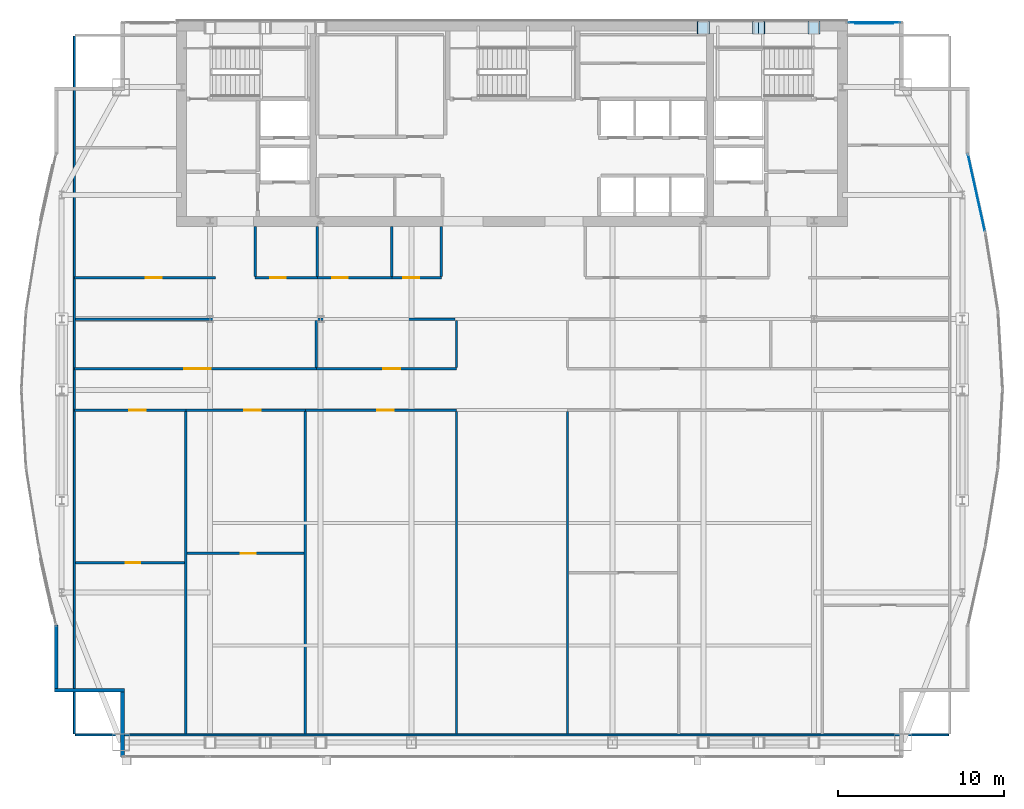
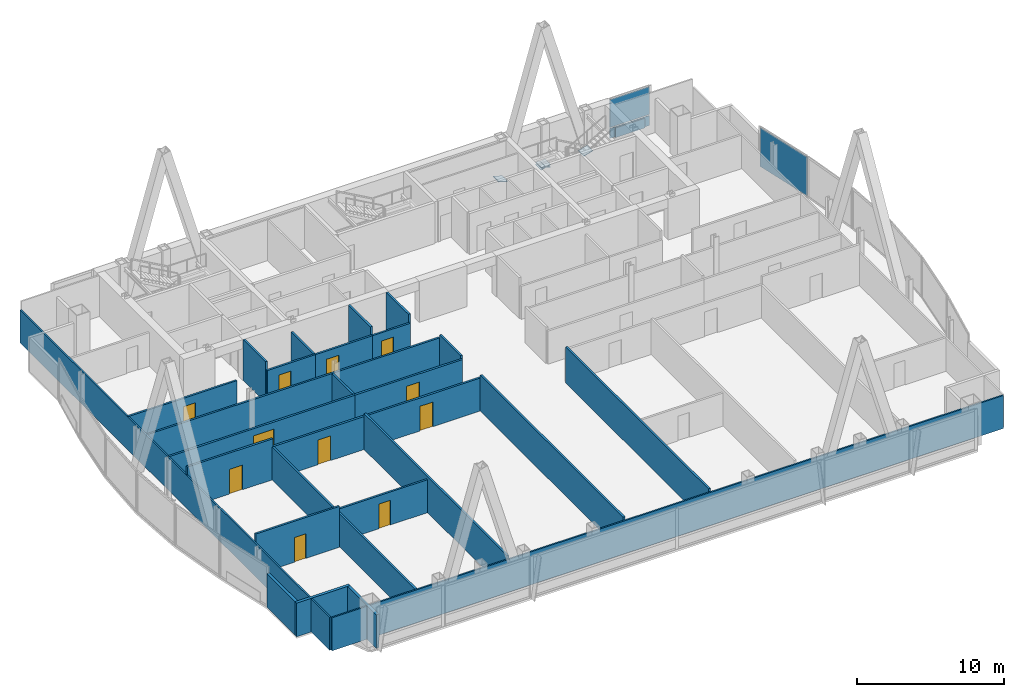
# One storey, part 26 of 31: 27 walls, 11 doors, 8 plates, 11 openings, 2 elements without a shape of their own.
"""IFC4 building model written with IfcOpenShell, lengths in metres."""

from ifc_helpers import new_model, si_unit, direction, frame, frame_2d, origin, origin_2d, place, context, subcontext, project, spatial, polyline, rectangle, outline, extrude, material, layer, layer_set, type_object, element, fill, aggregate, save


model = new_model("IFC4")

# Units and contexts
model_context = context("Model", 3, precision=1e-05, world=origin(), true_north=direction((0.0, 1.0)))
body_context = subcontext(model_context, "Body", "Model", "MODEL_VIEW")
ifc_project = project(units=[si_unit("LENGTHUNIT", "METRE"), si_unit("AREAUNIT", "SQUARE_METRE"), si_unit("VOLUMEUNIT", "CUBIC_METRE"), si_unit("PLANEANGLEUNIT", "RADIAN"), si_unit("MASSUNIT", "GRAM", prefix="KILO")], contexts=[model_context])

# Site, building, storey
site_placement = place(None, origin())
site = spatial("IfcSite", under=ifc_project, at=site_placement, CompositionType="ELEMENT")
building_placement = place(site_placement, origin())
building = spatial("IfcBuilding", under=site, at=building_placement, Name="Khoronbel Lancet Exchange", CompositionType="ELEMENT")
storey_placement = place(building_placement, frame((0.0, 0.0, 261.800048828125)))
storey = spatial("IfcBuildingStorey", under=building, at=storey_placement, Name="L67", CompositionType="ELEMENT", Elevation=261.800048828125)

# Curtain wall, plates
ifc_material_1 = material(Name="Low-E Solar Control Insulating Glass", Category="glass")
curtain_wall_type_1 = type_object("IfcCurtainWallType", Name="CW-3", PredefinedType="NOTDEFINED", material=ifc_material_1)
curtain_wall_1_placement = place(storey_placement, origin())
curtain_wall_1 = element("IfcCurtainWall", 1, at=curtain_wall_1_placement, inside=storey, type_object=curtain_wall_type_1, Name="Unitised curtain wall CW-L67-NEFLK", PredefinedType="NOTDEFINED")
ifc_material_2 = material(Name="Bronze-Anodised Aluminium 6063-T6", Category="aluminium")
ifc_layer_1 = layer(ifc_material_2, 0.050048828125, Name="Bronze-Anodised Aluminium 6063-T6")
ifc_layer_set_1 = layer_set([ifc_layer_1], Name="Bronze-Anodised Aluminium 6063-T6")
plate_type_1 = type_object("IfcPlateType", Name="PLT-CSP1", PredefinedType="SHEET", material=ifc_layer_set_1)
plate_1_placement = place(storey_placement, frame((58.320068359375, 53.550048828125, 0.0498046875), z_axis=(0.0, 0.0, 1.0), x_axis=(-1.0, 0.0, 0.0)))
plate_1 = element("IfcPlate", 2, at=plate_1_placement, type_object=plate_type_1, Name="Insulated bronze spandrel cassette CW-L67-NEFLK", PredefinedType="SHEET", context=body_context, shape_type="SweptSolid", body=[
    extrude(rectangle(XDim=2.2958984375, YDim=0.050048828125, at=origin_2d()), origin(), (0.0, 0.0, 1.0), 0.800048828125),
])
ifc_layer_2 = layer(ifc_material_1, 0.035888671875, Name="Low-E Solar Control Insulating Glass")
ifc_layer_set_2 = layer_set([ifc_layer_2], Name="Low-E Solar Control Insulating Glass")
plate_type_2 = type_object("IfcPlateType", Name="PLT-CWP1", PredefinedType="CURTAIN_PANEL", material=ifc_layer_set_2)
plate_2_placement = place(storey_placement, frame((58.320068359375, 53.610107421875, 0.0849609375), z_axis=(0.0, 0.0, 1.0), x_axis=(-1.0, 0.0, 0.0)))
plate_2 = element("IfcPlate", 3, at=plate_2_placement, type_object=plate_type_2, Name="CW3 panel 1.1", PredefinedType="CURTAIN_PANEL", context=body_context, shape_type="SweptSolid", body=[
    extrude(rectangle(XDim=3.110107421875, YDim=0.0380859375, at=origin_2d()), origin(), (0.0, 0.0, 1.0), 0.822509765625),
])
plate_3_placement = place(storey_placement, frame((58.320068359375, 53.610107421875, 0.99267578125), z_axis=(0.0, 0.0, 1.0), x_axis=(-1.0, 0.0, 0.0)))
plate_3 = element("IfcPlate", 4, at=plate_3_placement, type_object=plate_type_2, Name="CW3 panel 1.2", PredefinedType="CURTAIN_PANEL", context=body_context, shape_type="SweptSolid", body=[
    extrude(rectangle(XDim=3.110107421875, YDim=0.0380859375, at=origin_2d()), origin(), (0.0, 0.0, 1.0), 2.322509765625),
])
aggregate(curtain_wall_1, [plate_2, plate_3, plate_1])

# Curtain wall, plate
curtain_wall_type_2 = type_object("IfcCurtainWallType", Name="CW-4", PredefinedType="NOTDEFINED", material=ifc_material_1)
curtain_wall_2_placement = place(storey_placement, origin())
curtain_wall_2 = element("IfcCurtainWall", 5, at=curtain_wall_2_placement, inside=storey, type_object=curtain_wall_type_2, Name="Unitised curtain wall CW-L67-E17", PredefinedType="NOTDEFINED")
ifc_material_3 = material(Name="Ceramic-Fritted Laminated Insulating Glass", Category="glass")
ifc_layer_3 = layer(ifc_material_3, 0.0419921875, Name="Ceramic-Fritted Laminated Insulating Glass")
ifc_layer_set_3 = layer_set([ifc_layer_3], Name="Ceramic-Fritted Laminated Insulating Glass")
plate_type_3 = type_object("IfcPlateType", Name="PLT-CWP2", PredefinedType="CURTAIN_PANEL", material=ifc_layer_set_3)
plate_4_placement = place(storey_placement, frame((64.48486328125, 43.311767578125, 0.0849609375), z_axis=(0.0, 0.0, 1.0), x_axis=(0.215476152515, -0.976509102721, 0.0)))
plate_4 = element("IfcPlate", 6, at=plate_4_placement, type_object=plate_type_3, Name="CW4 panel 1.1", PredefinedType="CURTAIN_PANEL", context=body_context, shape_type="SweptSolid", body=[
    extrude(rectangle(XDim=4.721435546875, YDim=0.0380859375, at=origin_2d()), origin(), (0.0, 0.0, 1.0), 3.22998046875),
])
aggregate(curtain_wall_2, [plate_4])

# Plates
ifc_material_4 = material(Name="Steel S460", Category="steel")
ifc_layer_4 = layer(ifc_material_4, 0.044921875, Name="Steel S460")
ifc_layer_set_4 = layer_set([ifc_layer_4], Name="Steel S460")
plate_type_4 = type_object("IfcPlateType", Name="PLT-ECP1", PredefinedType="USERDEFINED", material=ifc_layer_set_4)
for number, where, z_axis, x_axis, name in (
    (7, (51.71240234375, 52.89990234375, -0.070068359375), (0.267925524584, 0.0, 0.963439626171), (0.0, 1.0, 0.0), "Hollow end cap plate PLT-CAP-MEM-MB-T22-N-E-L-1"),
    (8, (50.962646484375, 53.659912109375, -0.070068359375), (-0.267925524584, 0.0, 0.963439626171), (0.0, -1.0, 0.0), "Hollow end cap plate PLT-CAP-MEM-MB-T22-N-E-R-1"),
):
    element("IfcPlate", number, at=place(storey_placement, frame(where, z_axis=z_axis, x_axis=x_axis)), inside=storey, type_object=plate_type_4, Name=name, ObjectType="STIFFENER_PLATE", PredefinedType="USERDEFINED", context=body_context, shape_type="SweptSolid", body=[
        extrude(outline(polyline([(0.0, 0.0), (0.760009765625, 0.0), (0.760009765625, 0.760009765625), (0.0, 0.760009765625), (0.0, 0.0)])), origin(), (0.0, 0.0, -1.0), 0.044921875),
    ])
plate_5_placement = place(storey_placement, frame((48.368408203125, 52.89990234375, -0.093505859375), z_axis=(0.276333393609, 0.0, 0.96106183754), x_axis=(0.0, 1.0, 0.0)))
element("IfcPlate", 9, at=plate_5_placement, inside=storey, type_object=plate_type_4, Name="Hollow end cap plate PLT-CAP-MEM-MB-T23-N-E-L-0", ObjectType="STIFFENER_PLATE", PredefinedType="USERDEFINED", context=body_context, shape_type="SweptSolid", body=[
    extrude(outline(polyline([(0.0, 0.0), (0.760009765625, 0.0), (0.760009765625, 0.759765625), (0.0, 0.759765625), (0.0, 0.0)])), origin(), (0.0, 0.0, -1.0), 0.044921875),
])
plate_6_placement = place(storey_placement, frame((54.306396484375, 53.659912109375, -0.093505859375), z_axis=(-0.276248085352, 0.0, 0.961086362061), x_axis=(0.0, -1.0, 0.0)))
element("IfcPlate", 10, at=plate_6_placement, inside=storey, type_object=plate_type_4, Name="Hollow end cap plate PLT-CAP-MEM-MB-T23-N-E-R-0", ObjectType="STIFFENER_PLATE", PredefinedType="USERDEFINED", context=body_context, shape_type="SweptSolid", body=[
    extrude(outline(polyline([(0.0, 0.0), (0.760009765625, 0.0), (0.760009765625, 0.760009765625), (0.0, 0.760009765625), (0.0, 0.0)])), origin(), (0.0, 0.0, -1.0), 0.044921875),
])

# Walls
ifc_material_5 = material(Name="Precast concrete C40/50", Category="concrete")
ifc_layer_5 = layer(ifc_material_5, 0.25, Name="Precast concrete C40/50")
ifc_layer_set_5 = layer_set([ifc_layer_5], Name="Precast concrete C40/50")
wall_type_1 = type_object("IfcWallType", Name="WL-EXT250", PredefinedType="SOLIDWALL", material=ifc_layer_set_5)
wall_1_placement = place(storey_placement, frame((12.93994140625, 9.27001953125, 0.0), z_axis=(0.0, 0.0, 1.0), x_axis=(0.0, 1.0, 0.0)))
element("IfcWall", 11, at=wall_1_placement, inside=storey, type_object=wall_type_1, Name="Level L67 notched-corner limestone pier 01", PredefinedType="SOLIDWALL", context=body_context, shape_type="SweptSolid", body=[
    extrude(rectangle(XDim=3.909912109375, YDim=0.219970703125, at=frame_2d((1.955078125, 0.0))), origin(), (0.0, 0.0, 1.0), 2.7900390625),
])
wall_2_placement = place(storey_placement, frame((13.050048828125, 13.2900390625, 0.0), z_axis=(0.0, 0.0, 1.0), x_axis=(-1.0, 0.0, 0.0)))
element("IfcWall", 12, at=wall_2_placement, inside=storey, type_object=wall_type_1, Name="Level L67 notched-corner limestone pier 02", PredefinedType="SOLIDWALL", context=body_context, shape_type="SweptSolid", body=[
    extrude(rectangle(XDim=4.219970703125, YDim=0.219970703125, at=frame_2d((2.10986328125, 0.0))), origin(), (0.0, 0.0, 1.0), 2.7900390625),
])
wall_3_placement = place(storey_placement, frame((8.93994140625, 13.39990234375, 0.0), z_axis=(0.0, 0.0, 1.0), x_axis=(0.0, 1.0, 0.0)))
element("IfcWall", 13, at=wall_3_placement, inside=storey, type_object=wall_type_1, Name="Level L67 notched-corner limestone pier 03", PredefinedType="SOLIDWALL", context=body_context, shape_type="SweptSolid", body=[
    extrude(rectangle(XDim=3.829833984375, YDim=0.219970703125, at=frame_2d((1.9150390625, 0.0))), origin(), (0.0, 0.0, 1.0), 2.7900390625),
])
ifc_material_6 = material(Name="Acoustic Metal-Stud & Mineral-Wool Gypsum Partition 120 mm", Category="gypsum")
ifc_layer_6 = layer(ifc_material_6, 0.1201171875, Name="Acoustic Metal-Stud & Mineral-Wool Gypsum Partition 120 mm")
ifc_layer_set_6 = layer_set([ifc_layer_6], Name="Acoustic Metal-Stud & Mineral-Wool Gypsum Partition 120 mm")
wall_type_2 = type_object("IfcWallType", Name="WL-PRT120", PredefinedType="PARTITIONING", material=ifc_layer_set_6)
wall_4_placement = place(storey_placement, frame((20.949951171875, 38.280029296875, 0.0), z_axis=(0.0, 0.0, 1.0), x_axis=(0.0, 1.0, 0.0)))
element("IfcWall", 14, at=wall_4_placement, inside=storey, type_object=wall_type_2, Name="Level L67 interior partition PW-WC-0", PredefinedType="PARTITIONING", context=body_context, shape_type="SweptSolid", body=[
    extrude(rectangle(XDim=3.02001953125, YDim=0.14990234375, at=frame_2d((1.510009765625, 0.0))), origin(), (0.0, 0.0, 1.0), 3.39990234375),
])
wall_5_placement = place(storey_placement, frame((24.699951171875, 38.280029296875, 0.0), z_axis=(0.0, 0.0, 1.0), x_axis=(0.0, 1.0, 0.0)))
element("IfcWall", 15, at=wall_5_placement, inside=storey, type_object=wall_type_2, Name="Level L67 interior partition PW-WC-1", PredefinedType="PARTITIONING", context=body_context, shape_type="SweptSolid", body=[
    extrude(rectangle(XDim=3.02001953125, YDim=0.14990234375, at=frame_2d((1.510009765625, 0.0))), origin(), (0.0, 0.0, 1.0), 2.739990234375),
])
for number, where, z_axis, x_axis, name in (
    (16, (29.199951171875, 38.280029296875, 0.0), (0.0, 0.0, 1.0), (0.0, 1.0, 0.0), "Level L67 interior partition PW-WC-2"),
    (17, (32.179931640625, 38.280029296875, 0.0), (0.0, 0.0, 1.0), (0.0, 1.0, 0.0), "Level L67 interior partition PW-WC-3"),
):
    element("IfcWall", number, at=place(storey_placement, frame(where, z_axis=z_axis, x_axis=x_axis)), inside=storey, type_object=wall_type_2, Name=name, PredefinedType="PARTITIONING", context=body_context, shape_type="SweptSolid", body=[
        extrude(rectangle(XDim=3.02001953125, YDim=0.14990234375, at=frame_2d((1.510009765625, 0.0))), origin(), (0.0, 0.0, 1.0), 3.39990234375),
    ])

# Wall, opening, door
wall_6_placement = place(storey_placement, frame((10.094970703125, 20.9921875, 0.0), z_axis=(0.0, 0.0, 1.0), x_axis=(1.0, 0.0, 0.0)))
wall_6 = element("IfcWall", 18, at=wall_6_placement, inside=storey, type_object=wall_type_2, Name="Level L67 interior partition PW-Z3SW-H1", PredefinedType="PARTITIONING", context=body_context, shape_type="SweptSolid", body=[
    extrude(rectangle(XDim=6.58447265625, YDim=0.14990234375, at=frame_2d((3.292236328125, 0.0))), origin(), (0.0, 0.0, 1.0), 3.39990234375),
])
opening_1_placement = place(wall_6_placement, frame((3.0283203125, 0.0, 0.0)))
opening_1 = element("IfcOpeningElement", 19, at=opening_1_placement, cuts=wall_6, Name="Opening D5", PredefinedType="OPENING", context=body_context, shape_type="SweptSolid", body=[
    extrude(rectangle(XDim=0.89990234375, YDim=2.050048828125, at=frame_2d((0.449951171875, 1.02490234375))), frame((0.0, 0.0849609375, 0.0), z_axis=(0.0, -1.0, 0.0), x_axis=(1.0, 0.0, 0.0)), (0.0, 0.0, 1.0), 0.169921875),
])
ifc_material_7 = material(Name="Acoustic Timber Pantry & Support Door", Category="wood")
door_type_1 = type_object("IfcDoorType", Name="DR-D5", OperationType="NOTDEFINED", PredefinedType="DOOR", material=ifc_material_7)
door_1_placement = place(opening_1_placement, origin())
door_1 = element("IfcDoor", 20, at=door_1_placement, inside=storey, type_object=door_type_1, Name="Z3SW inner door 1 L67-1", OperationType="SINGLE_SWING_RIGHT", OverallHeight=2.050048828125, OverallWidth=0.89990234375, PredefinedType="DOOR", context=body_context, shape_type="SweptSolid", body=[
    extrude(rectangle(XDim=0.89990234375, YDim=2.050048828125, at=frame_2d((0.449951171875, 1.02490234375))), frame((0.0, 0.02490234375, 0.0), z_axis=(0.0, -1.0, 0.0), x_axis=(1.0, 0.0, 0.0)), (0.0, 0.0, 1.0), 0.050048828125),
])
fill(opening_1, door_1)

wall_7_placement = place(storey_placement, frame((16.83935546875, 21.5517578125, 0.0), z_axis=(0.0, 0.0, 1.0), x_axis=(1.0, 0.0, 0.0)))
wall_7 = element("IfcWall", 21, at=wall_7_placement, inside=storey, type_object=wall_type_2, Name="Level L67 interior partition PW-Z3SW-H2", PredefinedType="PARTITIONING", context=body_context, shape_type="SweptSolid", body=[
    extrude(rectangle(XDim=7.060302734375, YDim=0.14990234375, at=frame_2d((3.5302734375, 0.0))), origin(), (0.0, 0.0, 1.0), 2.739990234375),
])
opening_2_placement = place(wall_7_placement, frame((3.2490234375, 0.0, 0.0)))
opening_2 = element("IfcOpeningElement", 22, at=opening_2_placement, cuts=wall_7, Name="Opening D5", PredefinedType="OPENING", context=body_context, shape_type="SweptSolid", body=[
    extrude(rectangle(XDim=0.89990234375, YDim=2.050048828125, at=frame_2d((0.449951171875, 1.02490234375))), frame((0.0, 0.0849609375, 0.0), z_axis=(0.0, -1.0, 0.0), x_axis=(1.0, 0.0, 0.0)), (0.0, 0.0, 1.0), 0.169921875),
])
door_2_placement = place(opening_2_placement, origin())
door_2 = element("IfcDoor", 23, at=door_2_placement, inside=storey, type_object=door_type_1, Name="Z3SW inner door 2 L67-1", OperationType="SINGLE_SWING_RIGHT", OverallHeight=2.050048828125, OverallWidth=0.89990234375, PredefinedType="DOOR", context=body_context, shape_type="SweptSolid", body=[
    extrude(rectangle(XDim=0.89990234375, YDim=2.050048828125, at=frame_2d((0.449951171875, 1.02490234375))), frame((0.0, 0.02490234375, 0.0), z_axis=(0.0, -1.0, 0.0), x_axis=(1.0, 0.0, 0.0)), (0.0, 0.0, 1.0), 0.050048828125),
])
fill(opening_2, door_2)

# Walls
wall_8_placement = place(storey_placement, frame((10.030029296875, 10.6650390625, 0.0), z_axis=(0.0, 0.0, 1.0), x_axis=(0.0, 1.0, 0.0)))
element("IfcWall", 24, at=wall_8_placement, inside=storey, type_object=wall_type_2, Name="Level L67 interior partition PW-LIN-W", PredefinedType="PARTITIONING", context=body_context, shape_type="SweptSolid", body=[
    extrude(rectangle(XDim=42.10986328125, YDim=0.1201171875, at=frame_2d((21.054931640625, 0.0))), origin(), (0.0, 0.0, 1.0), 2.739990234375),
])
wall_9_placement = place(storey_placement, frame((10.094970703125, 10.60009765625, 0.0), z_axis=(0.0, 0.0, 1.0), x_axis=(1.0, 0.0, 0.0)))
element("IfcWall", 25, at=wall_9_placement, inside=storey, type_object=wall_type_2, Name="Level L67 interior partition PW-LIN-S", PredefinedType="PARTITIONING", context=body_context, shape_type="SweptSolid", body=[
    extrude(rectangle(XDim=52.7099609375, YDim=0.1201171875, at=frame_2d((26.35498046875, 0.0))), origin(), (0.0, 0.0, 1.0), 2.739990234375),
])

# Wall, opening, door
ifc_material_8 = material(Name="Fire-Rated Twin-Stud Acoustic Gypsum Partition 150 mm", Category="gypsum")
ifc_layer_7 = layer(ifc_material_8, 0.14990234375, Name="Fire-Rated Twin-Stud Acoustic Gypsum Partition 150 mm")
ifc_layer_set_7 = layer_set([ifc_layer_7], Name="Fire-Rated Twin-Stud Acoustic Gypsum Partition 150 mm")
wall_type_3 = type_object("IfcWallType", Name="WL-PRT150C", PredefinedType="PARTITIONING", material=ifc_layer_set_7)
wall_10_placement = place(storey_placement, frame((20.949951171875, 38.199951171875, 0.0), z_axis=(0.0, 0.0, 1.0), x_axis=(1.0, 0.0, 0.0)))
wall_10 = element("IfcWall", 26, at=wall_10_placement, inside=storey, type_object=wall_type_3, Name="Level L67 interior partition PW-WC-S1", PredefinedType="PARTITIONING", context=body_context, shape_type="SweptSolid", body=[
    extrude(rectangle(XDim=3.75, YDim=0.14990234375, at=frame_2d((1.875, 0.0))), origin(), (0.0, 0.0, 1.0), 2.739990234375),
])
opening_3_placement = place(wall_10_placement, frame((0.89990234375, 0.0, 0.0)))
opening_3 = element("IfcOpeningElement", 27, at=opening_3_placement, cuts=wall_10, Name="Opening D4", PredefinedType="OPENING", context=body_context, shape_type="SweptSolid", body=[
    extrude(rectangle(XDim=0.949951171875, YDim=2.050048828125, at=frame_2d((0.47509765625, 1.02490234375))), frame((0.0, 0.0849609375, 0.0), z_axis=(0.0, -1.0, 0.0), x_axis=(1.0, 0.0, 0.0)), (0.0, 0.0, 1.0), 0.169921875),
])
ifc_material_9 = material(Name="Moisture-Resistant HPL Washroom Door", Category="wood")
door_type_2 = type_object("IfcDoorType", Name="DR-D4", OperationType="NOTDEFINED", PredefinedType="DOOR", material=ifc_material_9)
door_3_placement = place(opening_3_placement, origin())
door_3 = element("IfcDoor", 28, at=door_3_placement, inside=storey, type_object=door_type_2, Name="Male washroom door L67-1", OperationType="SINGLE_SWING_RIGHT", OverallHeight=2.050048828125, OverallWidth=0.949951171875, PredefinedType="DOOR", context=body_context, shape_type="SweptSolid", body=[
    extrude(rectangle(XDim=0.949951171875, YDim=2.050048828125, at=frame_2d((0.47509765625, 1.02490234375))), frame((0.0, 0.02490234375, 0.0), z_axis=(0.0, -1.0, 0.0), x_axis=(1.0, 0.0, 0.0)), (0.0, 0.0, 1.0), 0.050048828125),
])
fill(opening_3, door_3)

wall_11_placement = place(storey_placement, frame((24.699951171875, 38.199951171875, 0.0), z_axis=(0.0, 0.0, 1.0), x_axis=(1.0, 0.0, 0.0)))
wall_11 = element("IfcWall", 29, at=wall_11_placement, inside=storey, type_object=wall_type_3, Name="Level L67 interior partition PW-WC-S2", PredefinedType="PARTITIONING", context=body_context, shape_type="SweptSolid", body=[
    extrude(rectangle(XDim=4.5, YDim=0.14990234375, at=frame_2d((2.25, 0.0))), origin(), (0.0, 0.0, 1.0), 2.739990234375),
])
opening_4_placement = place(wall_11_placement, frame((0.89990234375, 0.0, 0.0)))
opening_4 = element("IfcOpeningElement", 30, at=opening_4_placement, cuts=wall_11, Name="Opening D4", PredefinedType="OPENING", context=body_context, shape_type="SweptSolid", body=[
    extrude(rectangle(XDim=0.949951171875, YDim=2.050048828125, at=frame_2d((0.47509765625, 1.02490234375))), frame((0.0, 0.0849609375, 0.0), z_axis=(0.0, -1.0, 0.0), x_axis=(1.0, 0.0, 0.0)), (0.0, 0.0, 1.0), 0.169921875),
])
door_4_placement = place(opening_4_placement, origin())
door_4 = element("IfcDoor", 31, at=door_4_placement, inside=storey, type_object=door_type_2, Name="Female washroom door L67-1", OperationType="SINGLE_SWING_LEFT", OverallHeight=2.050048828125, OverallWidth=0.949951171875, PredefinedType="DOOR", context=body_context, shape_type="SweptSolid", body=[
    extrude(rectangle(XDim=0.949951171875, YDim=2.050048828125, at=frame_2d((0.47509765625, 1.02490234375))), frame((0.0, 0.02490234375, 0.0), z_axis=(0.0, -1.0, 0.0), x_axis=(1.0, 0.0, 0.0)), (0.0, 0.0, 1.0), 0.050048828125),
])
fill(opening_4, door_4)

wall_12_placement = place(storey_placement, frame((29.199951171875, 38.199951171875, 0.0), z_axis=(0.0, 0.0, 1.0), x_axis=(1.0, 0.0, 0.0)))
wall_12 = element("IfcWall", 32, at=wall_12_placement, inside=storey, type_object=wall_type_3, Name="Level L67 interior partition PW-WC-S3", PredefinedType="PARTITIONING", context=body_context, shape_type="SweptSolid", body=[
    extrude(rectangle(XDim=2.97998046875, YDim=0.14990234375, at=frame_2d((1.489990234375, 0.0))), origin(), (0.0, 0.0, 1.0), 2.739990234375),
])
opening_5_placement = place(wall_12_placement, frame((0.699951171875, 0.0, 0.0)))
opening_5 = element("IfcOpeningElement", 33, at=opening_5_placement, cuts=wall_12, Name="Opening D4", PredefinedType="OPENING", context=body_context, shape_type="SweptSolid", body=[
    extrude(rectangle(XDim=0.949951171875, YDim=2.050048828125, at=frame_2d((0.47509765625, 1.02490234375))), frame((0.0, 0.0849609375, 0.0), z_axis=(0.0, -1.0, 0.0), x_axis=(1.0, 0.0, 0.0)), (0.0, 0.0, 1.0), 0.169921875),
])
door_5_placement = place(opening_5_placement, origin())
door_5 = element("IfcDoor", 34, at=door_5_placement, inside=storey, type_object=door_type_2, Name="Accessible WC door L67-1", OperationType="SINGLE_SWING_RIGHT", OverallHeight=2.050048828125, OverallWidth=0.949951171875, PredefinedType="DOOR", context=body_context, shape_type="SweptSolid", body=[
    extrude(rectangle(XDim=0.949951171875, YDim=2.050048828125, at=frame_2d((0.47509765625, 1.02490234375))), frame((0.0, 0.02490234375, 0.0), z_axis=(0.0, -1.0, 0.0), x_axis=(1.0, 0.0, 0.0)), (0.0, 0.0, 1.0), 0.050048828125),
])
fill(opening_5, door_5)

wall_13_placement = place(storey_placement, frame((10.030029296875, 38.199951171875, 0.0), z_axis=(0.0, 0.0, 1.0), x_axis=(1.0, 0.0, 0.0)))
wall_13 = element("IfcWall", 35, at=wall_13_placement, inside=storey, type_object=wall_type_3, Name="Level L67 interior partition PW-NW-S", PredefinedType="PARTITIONING", context=body_context, shape_type="SweptSolid", body=[
    extrude(rectangle(XDim=8.52001953125, YDim=0.14990234375, at=frame_2d((4.260009765625, 0.0))), origin(), (0.0, 0.0, 1.0), 2.739990234375),
])
opening_6_placement = place(wall_13_placement, frame((4.320068359375, 0.0, 0.0)))
opening_6 = element("IfcOpeningElement", 36, at=opening_6_placement, cuts=wall_13, Name="Opening D1", PredefinedType="OPENING", context=body_context, shape_type="SweptSolid", body=[
    extrude(rectangle(XDim=0.949951171875, YDim=2.050048828125, at=frame_2d((0.47509765625, 1.02490234375))), frame((0.0, 0.0849609375, 0.0), z_axis=(0.0, -1.0, 0.0), x_axis=(1.0, 0.0, 0.0)), (0.0, 0.0, 1.0), 0.169921875),
])
ifc_material_10 = material(Name="Acoustic Veneered Timber & Bronze Frame Door", Category="wood")
door_type_3 = type_object("IfcDoorType", Name="DR-D1", OperationType="NOTDEFINED", PredefinedType="DOOR", material=ifc_material_10)
door_6_placement = place(opening_6_placement, origin())
door_6 = element("IfcDoor", 37, at=door_6_placement, inside=storey, type_object=door_type_3, Name="NW corner room door L67-1", OperationType="SINGLE_SWING_LEFT", OverallHeight=2.050048828125, OverallWidth=0.949951171875, PredefinedType="DOOR", context=body_context, shape_type="SweptSolid", body=[
    extrude(rectangle(XDim=0.949951171875, YDim=2.050048828125, at=frame_2d((0.47509765625, 1.02490234375))), frame((0.0, 0.02490234375, 0.0), z_axis=(0.0, -1.0, 0.0), x_axis=(1.0, 0.0, 0.0)), (0.0, 0.0, 1.0), 0.050048828125),
])
fill(opening_6, door_6)

# Walls
for number, where, z_axis, x_axis, name in (
    (38, (33.10009765625, 10.6650390625, 0.0), (0.0, 0.0, 1.0), (0.0, 1.0, 0.0), "Level L67 interior partition PW-Z3-CW1"),
    (39, (39.800048828125, 10.6650390625, 0.0), (0.0, 0.0, 1.0), (0.0, 1.0, 0.0), "Level L67 interior partition PW-Z3-CE1"),
):
    element("IfcWall", number, at=place(storey_placement, frame(where, z_axis=z_axis, x_axis=x_axis)), inside=storey, type_object=wall_type_3, Name=name, PredefinedType="PARTITIONING", context=body_context, shape_type="SweptSolid", body=[
        extrude(rectangle(XDim=19.449951171875, YDim=0.14990234375, at=frame_2d((9.72509765625, 0.0))), origin(), (0.0, 0.0, 1.0), 2.989990234375),
    ])
wall_14_placement = place(storey_placement, frame((33.10009765625, 32.784912109375, 0.0), z_axis=(0.0, 0.0, 1.0), x_axis=(0.0, 1.0, 0.0)))
element("IfcWall", 40, at=wall_14_placement, inside=storey, type_object=wall_type_3, Name="Level L67 interior partition PW-Z3-CW2", PredefinedType="PARTITIONING", context=body_context, shape_type="SweptSolid", body=[
    extrude(rectangle(XDim=2.835205078125, YDim=0.14990234375, at=frame_2d((1.41748046875, 0.0))), origin(), (0.0, 0.0, 1.0), 2.989990234375),
])
wall_15_placement = place(storey_placement, frame((10.094970703125, 35.699951171875, 0.0), z_axis=(0.0, 0.0, 1.0), x_axis=(1.0, 0.0, 0.0)))
element("IfcWall", 41, at=wall_15_placement, inside=storey, type_object=wall_type_3, Name="Level L67 interior partition PW-Z3-WN", PredefinedType="PARTITIONING", context=body_context, shape_type="SweptSolid", body=[
    extrude(rectangle(XDim=22.925048828125, YDim=0.14990234375, at=frame_2d((11.46240234375, 0.0))), origin(), (0.0, 0.0, 1.0), 2.739990234375),
])
wall_16_placement = place(storey_placement, frame((16.759521484375, 10.6650390625, 0.0), z_axis=(0.0, 0.0, 1.0), x_axis=(0.0, 1.0, 0.0)))
element("IfcWall", 42, at=wall_16_placement, inside=storey, type_object=wall_type_3, Name="Level L67 interior partition PW-Z3SW-V1", PredefinedType="PARTITIONING", context=body_context, shape_type="SweptSolid", body=[
    extrude(rectangle(XDim=19.449951171875, YDim=0.14990234375, at=frame_2d((9.72509765625, 0.0))), origin(), (0.0, 0.0, 1.0), 2.739990234375),
])
wall_17_placement = place(storey_placement, frame((23.979736328125, 10.6650390625, 0.0), z_axis=(0.0, 0.0, 1.0), x_axis=(0.0, 1.0, 0.0)))
element("IfcWall", 43, at=wall_17_placement, inside=storey, type_object=wall_type_3, Name="Level L67 interior partition PW-Z3SW-V2", PredefinedType="PARTITIONING", context=body_context, shape_type="SweptSolid", body=[
    extrude(rectangle(XDim=19.449951171875, YDim=0.14990234375, at=frame_2d((9.72509765625, 0.0))), origin(), (0.0, 0.0, 1.0), 2.989990234375),
])
wall_18_placement = place(storey_placement, frame((24.639404296875, 32.784912109375, 0.0), z_axis=(0.0, 0.0, 1.0), x_axis=(0.0, 1.0, 0.0)))
element("IfcWall", 44, at=wall_18_placement, inside=storey, type_object=wall_type_3, Name="Level L67 interior partition PW-Z3NW-V1", PredefinedType="PARTITIONING", context=body_context, shape_type="SweptSolid", body=[
    extrude(rectangle(XDim=2.835205078125, YDim=0.14990234375, at=frame_2d((1.41748046875, 0.0))), origin(), (0.0, 0.0, 1.0), 2.739990234375),
])

# Wall, opening, door
ifc_material_11 = material(Name="Fire-Rated Twin-Stud Acoustic Gypsum Partition 160 mm", Category="gypsum")
ifc_layer_8 = layer(ifc_material_11, 0.159912109375, Name="Fire-Rated Twin-Stud Acoustic Gypsum Partition 160 mm")
ifc_layer_set_8 = layer_set([ifc_layer_8], Name="Fire-Rated Twin-Stud Acoustic Gypsum Partition 160 mm")
wall_type_4 = type_object("IfcWallType", Name="WL-PRT160C", PredefinedType="PARTITIONING", material=ifc_layer_set_8)
wall_19_placement = place(storey_placement, frame((10.030029296875, 30.199951171875, 0.0), z_axis=(0.0, 0.0, 1.0), x_axis=(1.0, 0.0, 0.0)))
wall_19 = element("IfcWall", 45, at=wall_19_placement, inside=storey, type_object=wall_type_4, Name="Level L67 interior partition PW-Z3SW-COR1", PredefinedType="PARTITIONING", context=body_context, shape_type="SweptSolid", body=[
    extrude(rectangle(XDim=6.7294921875, YDim=0.159912109375, at=frame_2d((3.36474609375, 0.0))), origin(), (0.0, 0.0, 1.0), 3.39990234375),
])
opening_7_placement = place(wall_19_placement, frame((3.326416015625, 0.0, 0.0)))
opening_7 = element("IfcOpeningElement", 46, at=opening_7_placement, cuts=wall_19, Name="Opening D2", PredefinedType="OPENING", context=body_context, shape_type="SweptSolid", body=[
    extrude(rectangle(XDim=1.0, YDim=2.050048828125, at=frame_2d((0.5, 1.02490234375))), frame((0.0, 0.08984375, 0.0), z_axis=(0.0, -1.0, 0.0), x_axis=(1.0, 0.0, 0.0)), (0.0, 0.0, 1.0), 0.179931640625),
])
door_type_4 = type_object("IfcDoorType", Name="DR-D2", OperationType="NOTDEFINED", PredefinedType="DOOR", material=ifc_material_10)
door_7_placement = place(opening_7_placement, origin())
door_7 = element("IfcDoor", 47, at=door_7_placement, inside=storey, type_object=door_type_4, Name="Z3SW bay 1 door L67-1", OperationType="SINGLE_SWING_LEFT", OverallHeight=2.050048828125, OverallWidth=1.0, PredefinedType="DOOR", context=body_context, shape_type="SweptSolid", body=[
    extrude(rectangle(XDim=1.0, YDim=2.050048828125, at=frame_2d((0.5, 1.02490234375))), frame((0.0, 0.02490234375, 0.0), z_axis=(0.0, -1.0, 0.0), x_axis=(1.0, 0.0, 0.0)), (0.0, 0.0, 1.0), 0.050048828125),
])
fill(opening_7, door_7)

wall_20_placement = place(storey_placement, frame((16.759521484375, 30.199951171875, 0.0), z_axis=(0.0, 0.0, 1.0), x_axis=(1.0, 0.0, 0.0)))
wall_20 = element("IfcWall", 48, at=wall_20_placement, inside=storey, type_object=wall_type_4, Name="Level L67 interior partition PW-Z3SW-COR2", PredefinedType="PARTITIONING", context=body_context, shape_type="SweptSolid", body=[
    extrude(rectangle(XDim=7.22021484375, YDim=0.159912109375, at=frame_2d((3.610107421875, 0.0))), origin(), (0.0, 0.0, 1.0), 2.739990234375),
])
opening_8_placement = place(wall_20_placement, frame((3.532470703125, 0.0, 0.0)))
opening_8 = element("IfcOpeningElement", 49, at=opening_8_placement, cuts=wall_20, Name="Opening D2", PredefinedType="OPENING", context=body_context, shape_type="SweptSolid", body=[
    extrude(rectangle(XDim=1.0, YDim=2.050048828125, at=frame_2d((0.5, 1.02490234375))), frame((0.0, 0.08984375, 0.0), z_axis=(0.0, -1.0, 0.0), x_axis=(1.0, 0.0, 0.0)), (0.0, 0.0, 1.0), 0.179931640625),
])
door_8_placement = place(opening_8_placement, origin())
door_8 = element("IfcDoor", 50, at=door_8_placement, inside=storey, type_object=door_type_4, Name="Z3SW bay 2 door L67-1", OperationType="SINGLE_SWING_LEFT", OverallHeight=2.050048828125, OverallWidth=1.0, PredefinedType="DOOR", context=body_context, shape_type="SweptSolid", body=[
    extrude(rectangle(XDim=1.0, YDim=2.050048828125, at=frame_2d((0.5, 1.02490234375))), frame((0.0, 0.02490234375, 0.0), z_axis=(0.0, -1.0, 0.0), x_axis=(1.0, 0.0, 0.0)), (0.0, 0.0, 1.0), 0.050048828125),
])
fill(opening_8, door_8)

wall_21_placement = place(storey_placement, frame((23.979736328125, 30.199951171875, 0.0), z_axis=(0.0, 0.0, 1.0), x_axis=(1.0, 0.0, 0.0)))
wall_21 = element("IfcWall", 51, at=wall_21_placement, inside=storey, type_object=wall_type_4, Name="Level L67 interior partition PW-Z3SW-COR3", PredefinedType="PARTITIONING", context=body_context, shape_type="SweptSolid", body=[
    extrude(rectangle(XDim=9.120361328125, YDim=0.159912109375, at=frame_2d((4.56005859375, 0.0))), origin(), (0.0, 0.0, 1.0), 2.739990234375),
])
opening_9_placement = place(wall_21_placement, frame((4.33056640625, 0.0, 0.0)))
opening_9 = element("IfcOpeningElement", 52, at=opening_9_placement, cuts=wall_21, Name="Opening D2", PredefinedType="OPENING", context=body_context, shape_type="SweptSolid", body=[
    extrude(rectangle(XDim=1.0, YDim=2.050048828125, at=frame_2d((0.5, 1.02490234375))), frame((0.0, 0.08984375, 0.0), z_axis=(0.0, -1.0, 0.0), x_axis=(1.0, 0.0, 0.0)), (0.0, 0.0, 1.0), 0.179931640625),
])
door_9_placement = place(opening_9_placement, origin())
door_9 = element("IfcDoor", 53, at=door_9_placement, inside=storey, type_object=door_type_4, Name="Z3SW bay 3 door L67-1", OperationType="SINGLE_SWING_LEFT", OverallHeight=2.050048828125, OverallWidth=1.0, PredefinedType="DOOR", context=body_context, shape_type="SweptSolid", body=[
    extrude(rectangle(XDim=1.0, YDim=2.050048828125, at=frame_2d((0.5, 1.02490234375))), frame((0.0, 0.02490234375, 0.0), z_axis=(0.0, -1.0, 0.0), x_axis=(1.0, 0.0, 0.0)), (0.0, 0.0, 1.0), 0.050048828125),
])
fill(opening_9, door_9)

wall_22_placement = place(storey_placement, frame((10.030029296875, 32.699951171875, 0.0), z_axis=(0.0, 0.0, 1.0), x_axis=(1.0, 0.0, 0.0)))
wall_22 = element("IfcWall", 54, at=wall_22_placement, inside=storey, type_object=wall_type_4, Name="Level L67 interior partition PW-Z3NW-COR1", PredefinedType="PARTITIONING", context=body_context, shape_type="SweptSolid", body=[
    extrude(rectangle(XDim=14.609375, YDim=0.159912109375, at=frame_2d((7.3046875, 0.0))), origin(), (0.0, 0.0, 1.0), 2.739990234375),
])
opening_10_placement = place(wall_22_placement, frame((6.635986328125, 0.0, 0.0)))
opening_10 = element("IfcOpeningElement", 55, at=opening_10_placement, cuts=wall_22, Name="Opening D3", PredefinedType="OPENING", context=body_context, shape_type="SweptSolid", body=[
    extrude(rectangle(XDim=1.60009765625, YDim=2.14990234375, at=frame_2d((0.800048828125, 1.074951171875))), frame((0.0, 0.08984375, 0.0), z_axis=(0.0, -1.0, 0.0), x_axis=(1.0, 0.0, 0.0)), (0.0, 0.0, 1.0), 0.179931640625),
])
ifc_material_12 = material(Name="Glazed Bronze-Framed Double Suite Door", Category="aluminium")
door_type_5 = type_object("IfcDoorType", Name="DR-D3", OperationType="NOTDEFINED", PredefinedType="DOOR", material=ifc_material_12)
door_10_placement = place(opening_10_placement, origin())
door_10 = element("IfcDoor", 56, at=door_10_placement, inside=storey, type_object=door_type_5, Name="Z3NW bay 1 door L67-1", OperationType="DOUBLE_DOOR_SINGLE_SWING", OverallHeight=2.14990234375, OverallWidth=1.60009765625, PredefinedType="DOOR", context=body_context, shape_type="SweptSolid", body=[
    extrude(rectangle(XDim=1.60009765625, YDim=2.14990234375, at=frame_2d((0.800048828125, 1.074951171875))), frame((0.0, 0.02490234375, 0.0), z_axis=(0.0, -1.0, 0.0), x_axis=(1.0, 0.0, 0.0)), (0.0, 0.0, 1.0), 0.050048828125),
])
fill(opening_10, door_10)

wall_23_placement = place(storey_placement, frame((24.639404296875, 32.699951171875, 0.0), z_axis=(0.0, 0.0, 1.0), x_axis=(1.0, 0.0, 0.0)))
wall_23 = element("IfcWall", 57, at=wall_23_placement, inside=storey, type_object=wall_type_4, Name="Level L67 interior partition PW-Z3NW-COR2", PredefinedType="PARTITIONING", context=body_context, shape_type="SweptSolid", body=[
    extrude(rectangle(XDim=8.460693359375, YDim=0.159912109375, at=frame_2d((4.23046875, 0.0))), origin(), (0.0, 0.0, 1.0), 2.739990234375),
])
opening_11_placement = place(wall_23_placement, frame((4.053466796875, 0.0, 0.0)))
opening_11 = element("IfcOpeningElement", 58, at=opening_11_placement, cuts=wall_23, Name="Opening D2", PredefinedType="OPENING", context=body_context, shape_type="SweptSolid", body=[
    extrude(rectangle(XDim=1.0, YDim=2.050048828125, at=frame_2d((0.5, 1.02490234375))), frame((0.0, 0.08984375, 0.0), z_axis=(0.0, -1.0, 0.0), x_axis=(1.0, 0.0, 0.0)), (0.0, 0.0, 1.0), 0.179931640625),
])
door_11_placement = place(opening_11_placement, origin())
door_11 = element("IfcDoor", 59, at=door_11_placement, inside=storey, type_object=door_type_4, Name="Z3NW bay 2 door L67-1", OperationType="SINGLE_SWING_LEFT", OverallHeight=2.050048828125, OverallWidth=1.0, PredefinedType="DOOR", context=body_context, shape_type="SweptSolid", body=[
    extrude(rectangle(XDim=1.0, YDim=2.050048828125, at=frame_2d((0.5, 1.02490234375))), frame((0.0, 0.02490234375, 0.0), z_axis=(0.0, -1.0, 0.0), x_axis=(1.0, 0.0, 0.0)), (0.0, 0.0, 1.0), 0.050048828125),
])
fill(opening_11, door_11)

save(model, "model.ifc")
